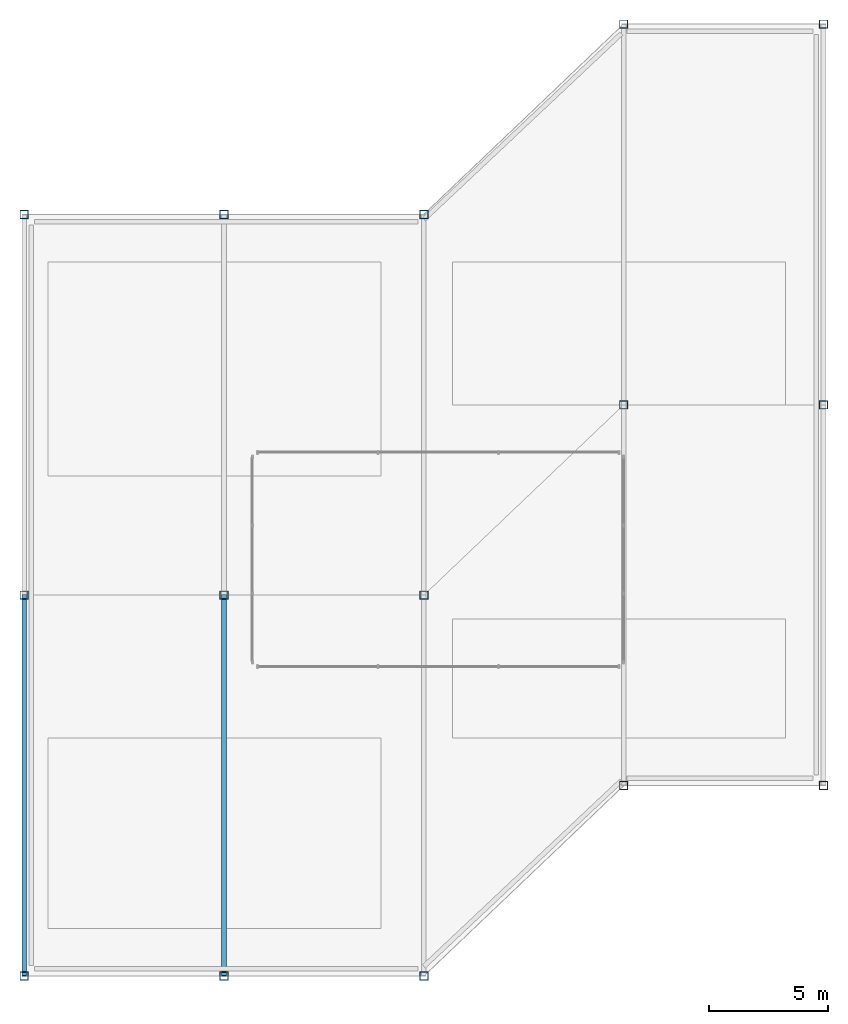
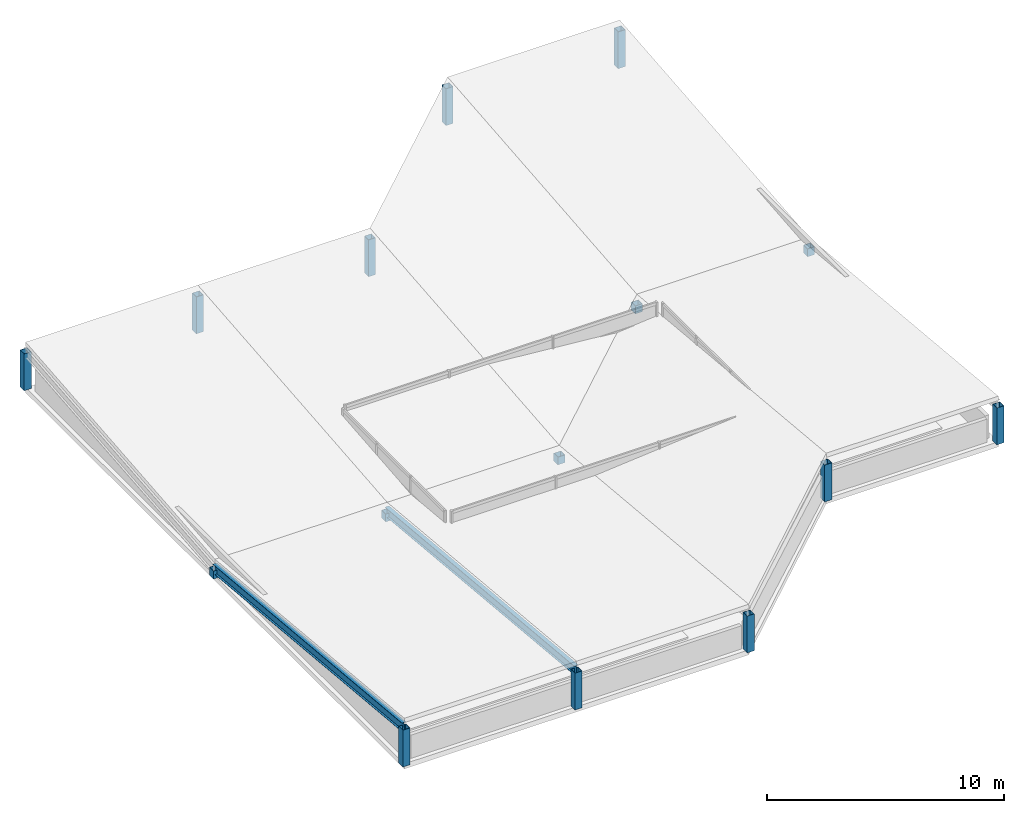
# One storey, part 1 of 5: 15 columns, 2 members.
"""IFC4 building model written with IfcOpenShell, lengths in metres."""

from ifc_helpers import new_model, si_unit, direction, frame, origin, origin_2d, place, context, subcontext, project, spatial, hollow_rectangle, i_section, extrude, material, material_profile, profile_set, type_object, element, save


model = new_model("IFC4")

# Units and contexts
model_context = context("Model", 3, precision=1e-05, world=origin(), true_north=direction((0.0, 1.0)))
body_context = subcontext(model_context, "Body", "Model", "MODEL_VIEW")
ifc_project = project(units=[si_unit("LENGTHUNIT", "METRE"), si_unit("AREAUNIT", "SQUARE_METRE"), si_unit("VOLUMEUNIT", "CUBIC_METRE"), si_unit("PLANEANGLEUNIT", "RADIAN"), si_unit("MASSUNIT", "GRAM", prefix="KILO")], contexts=[model_context])

# Site, building, storey
site_placement = place(None, origin())
site = spatial("IfcSite", under=ifc_project, at=site_placement, CompositionType="ELEMENT")
building_placement = place(site_placement, origin())
building = spatial("IfcBuilding", under=site, at=building_placement, Name="Naruveol Harbour Congress Hotel", CompositionType="ELEMENT")
storey_placement = place(building_placement, frame((0.0, 0.0, 51.60009765625)))
storey = spatial("IfcBuildingStorey", under=building, at=storey_placement, Name="RF", CompositionType="ELEMENT", Elevation=51.60009765625)

# Columns
ifc_material_1 = material(Name="Steel SN490", Category="steel")
ifc_material_profile_1 = material_profile(ifc_material_1, hollow_rectangle(XDim=0.35009765625, YDim=0.35009765625, WallThickness=0.01611328125, at=origin_2d()), Name="SHS-350x350x16")
ifc_profile_set_1 = profile_set([ifc_material_profile_1], Name="Steel SN490")
column_type = type_object("IfcColumnType", Name="STEEL PAVILION COLUMN SHS350", PredefinedType="COLUMN", material=ifc_profile_set_1)
column_1_placement = place(storey_placement, frame((126.0, 0.0, 0.0), z_axis=(0.0, 0.0, 1.0), x_axis=(1.0, 0.0, 0.0)))
element("IfcColumn", 1, at=column_1_placement, inside=storey, type_object=column_type, Name="Crown butterfly south edge column S1", PredefinedType="COLUMN", context=body_context, shape_type="SweptSolid", body=[
    extrude(hollow_rectangle(XDim=0.35009765625, YDim=0.35009765625, WallThickness=0.01611328125, at=origin_2d()), origin(), (0.0, 0.0, 1.0), 1.89990234375),
])
column_2_placement = place(storey_placement, frame((126.0, 16.0, 0.0), z_axis=(0.0, 0.0, 1.0), x_axis=(1.0, 0.0, 0.0)))
element("IfcColumn", 2, at=column_2_placement, inside=storey, type_object=column_type, Name="Crown butterfly valley column S1", PredefinedType="COLUMN", context=body_context, shape_type="SweptSolid", body=[
    extrude(hollow_rectangle(XDim=0.35009765625, YDim=0.35009765625, WallThickness=0.01611328125, at=origin_2d()), origin(), (0.0, 0.0, 1.0), 0.39990234375),
])
for number, where, z_axis, x_axis, name in (
    (3, (126.0, 32.0, 0.0), (0.0, 0.0, 1.0), (1.0, 0.0, 0.0), "Crown butterfly north edge column S1"),
    (4, (134.39990234375, 0.0, 0.0), (0.0, 0.0, 1.0), (1.0, 0.0, 0.0), "Crown butterfly south edge column S2"),
):
    element("IfcColumn", number, at=place(storey_placement, frame(where, z_axis=z_axis, x_axis=x_axis)), inside=storey, type_object=column_type, Name=name, PredefinedType="COLUMN", context=body_context, shape_type="SweptSolid", body=[
        extrude(hollow_rectangle(XDim=0.35009765625, YDim=0.35009765625, WallThickness=0.01611328125, at=origin_2d()), origin(), (0.0, 0.0, 1.0), 1.89990234375),
    ])
column_3_placement = place(storey_placement, frame((134.39990234375, 16.0, 0.0), z_axis=(0.0, 0.0, 1.0), x_axis=(1.0, 0.0, 0.0)))
element("IfcColumn", 5, at=column_3_placement, inside=storey, type_object=column_type, Name="Crown butterfly valley column S2", PredefinedType="COLUMN", context=body_context, shape_type="SweptSolid", body=[
    extrude(hollow_rectangle(XDim=0.35009765625, YDim=0.35009765625, WallThickness=0.01611328125, at=origin_2d()), origin(), (0.0, 0.0, 1.0), 0.39990234375),
])
for number, where, z_axis, x_axis, name in (
    (6, (134.39990234375, 32.0, 0.0), (0.0, 0.0, 1.0), (1.0, 0.0, 0.0), "Crown butterfly north edge column S2"),
    (7, (142.800048828125, 0.0, 0.0), (0.0, 0.0, 1.0), (1.0, 0.0, 0.0), "Crown butterfly south edge column S3"),
):
    element("IfcColumn", number, at=place(storey_placement, frame(where, z_axis=z_axis, x_axis=x_axis)), inside=storey, type_object=column_type, Name=name, PredefinedType="COLUMN", context=body_context, shape_type="SweptSolid", body=[
        extrude(hollow_rectangle(XDim=0.35009765625, YDim=0.35009765625, WallThickness=0.01611328125, at=origin_2d()), origin(), (0.0, 0.0, 1.0), 1.89990234375),
    ])
column_4_placement = place(storey_placement, frame((142.800048828125, 16.0, 0.0), z_axis=(0.0, 0.0, 1.0), x_axis=(1.0, 0.0, 0.0)))
element("IfcColumn", 8, at=column_4_placement, inside=storey, type_object=column_type, Name="Crown butterfly valley column S3", PredefinedType="COLUMN", context=body_context, shape_type="SweptSolid", body=[
    extrude(hollow_rectangle(XDim=0.35009765625, YDim=0.35009765625, WallThickness=0.01611328125, at=origin_2d()), origin(), (0.0, 0.0, 1.0), 0.39990234375),
])
for number, where, z_axis, x_axis, name in (
    (9, (142.800048828125, 32.0, 0.0), (0.0, 0.0, 1.0), (1.0, 0.0, 0.0), "Crown butterfly north edge column S3"),
    (10, (151.199951171875, 8.0, 0.0), (0.0, 0.0, 1.0), (1.0, 0.0, 0.0), "Crown butterfly south edge column S4"),
):
    element("IfcColumn", number, at=place(storey_placement, frame(where, z_axis=z_axis, x_axis=x_axis)), inside=storey, type_object=column_type, Name=name, PredefinedType="COLUMN", context=body_context, shape_type="SweptSolid", body=[
        extrude(hollow_rectangle(XDim=0.35009765625, YDim=0.35009765625, WallThickness=0.01611328125, at=origin_2d()), origin(), (0.0, 0.0, 1.0), 1.89990234375),
    ])
column_5_placement = place(storey_placement, frame((151.199951171875, 24.0, 0.0), z_axis=(0.0, 0.0, 1.0), x_axis=(1.0, 0.0, 0.0)))
element("IfcColumn", 11, at=column_5_placement, inside=storey, type_object=column_type, Name="Crown butterfly valley column S4", PredefinedType="COLUMN", context=body_context, shape_type="SweptSolid", body=[
    extrude(hollow_rectangle(XDim=0.35009765625, YDim=0.35009765625, WallThickness=0.01611328125, at=origin_2d()), origin(), (0.0, 0.0, 1.0), 0.39990234375),
])
for number, where, z_axis, x_axis, name in (
    (12, (151.199951171875, 40.0, 0.0), (0.0, 0.0, 1.0), (1.0, 0.0, 0.0), "Crown butterfly north edge column S4"),
    (13, (159.60009765625, 8.0, 0.0), (0.0, 0.0, 1.0), (1.0, 0.0, 0.0), "Crown butterfly south edge column S5"),
):
    element("IfcColumn", number, at=place(storey_placement, frame(where, z_axis=z_axis, x_axis=x_axis)), inside=storey, type_object=column_type, Name=name, PredefinedType="COLUMN", context=body_context, shape_type="SweptSolid", body=[
        extrude(hollow_rectangle(XDim=0.35009765625, YDim=0.35009765625, WallThickness=0.01611328125, at=origin_2d()), origin(), (0.0, 0.0, 1.0), 1.89990234375),
    ])
column_6_placement = place(storey_placement, frame((159.60009765625, 24.0, 0.0), z_axis=(0.0, 0.0, 1.0), x_axis=(1.0, 0.0, 0.0)))
element("IfcColumn", 14, at=column_6_placement, inside=storey, type_object=column_type, Name="Crown butterfly valley column S5", PredefinedType="COLUMN", context=body_context, shape_type="SweptSolid", body=[
    extrude(hollow_rectangle(XDim=0.35009765625, YDim=0.35009765625, WallThickness=0.01611328125, at=origin_2d()), origin(), (0.0, 0.0, 1.0), 0.39990234375),
])
column_7_placement = place(storey_placement, frame((159.60009765625, 40.0, 0.0), z_axis=(0.0, 0.0, 1.0), x_axis=(1.0, 0.0, 0.0)))
element("IfcColumn", 15, at=column_7_placement, inside=storey, type_object=column_type, Name="Crown butterfly north edge column S5", PredefinedType="COLUMN", context=body_context, shape_type="SweptSolid", body=[
    extrude(hollow_rectangle(XDim=0.35009765625, YDim=0.35009765625, WallThickness=0.01611328125, at=origin_2d()), origin(), (0.0, 0.0, 1.0), 1.89990234375),
])

# Members
ifc_material_2 = material(Name="Steel SN490", Category="steel")
ifc_material_profile_2 = material_profile(ifc_material_2, i_section(OverallWidth=0.199951171875, OverallDepth=0.449951171875, WebThickness=0.009033203125, FlangeThickness=0.013916015625, at=origin_2d()), Name="H-450x200x9x14")
ifc_profile_set_2 = profile_set([ifc_material_profile_2], Name="Steel SN490")
member_type = type_object("IfcMemberType", Name="STEEL BUTTERFLY CROWN RAFTER H450", PredefinedType="RAFTER", material=ifc_profile_set_2)
for number, where, z_axis, x_axis, name in (
    (16, (126.0, 16.0, 0.39990234375), (0.0, -0.995634226059, 0.093340708693), (1.0, 0.0, 0.0), "Butterfly crown south rafter S1"),
    (17, (134.39990234375, 16.0, 0.39990234375), (0.0, -0.995634226059, 0.093340708693), (1.0, 0.0, 0.0), "Butterfly crown south rafter S2"),
):
    element("IfcMember", number, at=place(storey_placement, frame(where, z_axis=z_axis, x_axis=x_axis)), inside=storey, type_object=member_type, Name=name, PredefinedType="RAFTER", context=body_context, shape_type="SweptSolid", body=[
        extrude(i_section(OverallWidth=0.199951171875, OverallDepth=0.449951171875, WebThickness=0.009033203125, FlangeThickness=0.013916015625, at=origin_2d()), origin(), (0.0, 0.0, 1.0), 16.070068359375),
    ])

save(model, "model.ifc")
